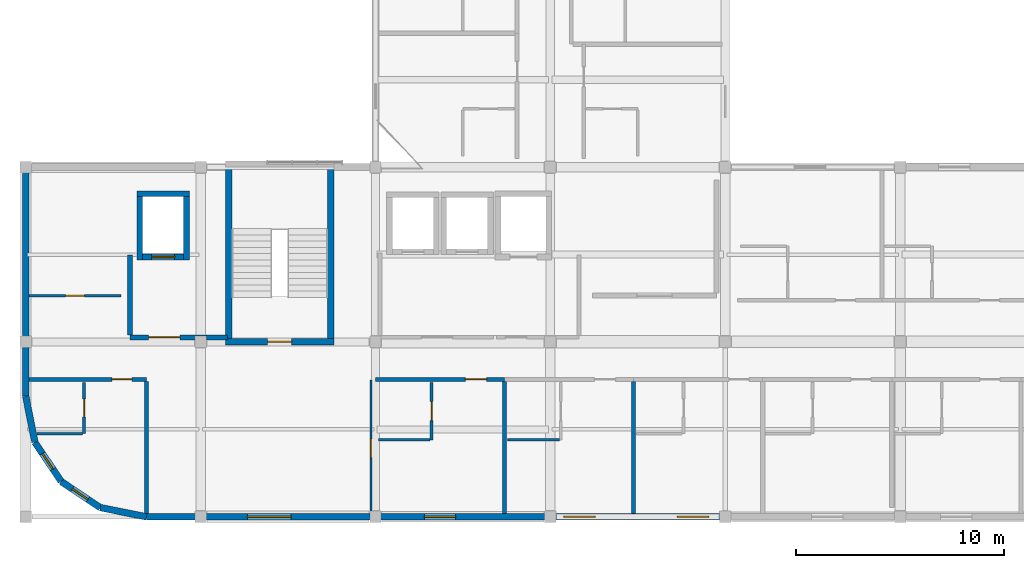
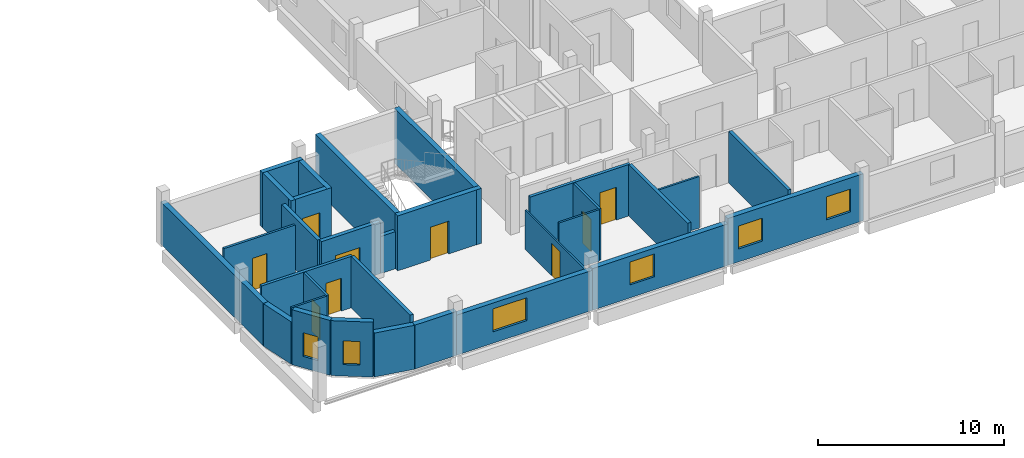
# One storey, part 12 of 26: 31 walls, 9 doors, 6 windows, 15 openings.
"""IFC4 building model written with IfcOpenShell, lengths in metres."""

import ifcopenshell
import ifcopenshell.guid

model = None  # the IFC model being written
_history = None  # IfcOwnerHistory: only IFC2X3 demands one
_inside = {}  # id of a spatial element -> (the spatial element, [elements in it])
_under = {}  # id of a project, library or spatial element -> (it, [spatial elements below it])
_declared = {}  # id of a project -> (the project, [libraries it declares])
_typed = {}  # id of a type object -> (the type object, [elements of that type])
_made_of = {}  # id of a material, layer set ... -> (it, [elements and type objects made of it])


def new_model(schema):
    """Start an empty IFC model of exactly this schema.

    Asked for "IFC4X3", IfcOpenShell would pick the latest addendum, in which some entities
    have other attributes; the version numbers below select the first issue.
    IFC2X3 requires an IfcOwnerHistory on every rooted entity: one is made here for all.
    """
    global model, _history
    if schema == "IFC4X3":
        model = ifcopenshell.file(schema_version=(4, 3, 0, 0))
    else:
        model = ifcopenshell.file(schema=schema)
    _inside.clear()
    _under.clear()
    _declared.clear()
    _typed.clear()
    _made_of.clear()
    _history = None
    if model.schema == "IFC2X3":
        org = make("IfcOrganization", Name="unknown")
        user = make(
            "IfcPersonAndOrganization",
            ThePerson=make("IfcPerson", FamilyName="unknown"),
            TheOrganization=org,
        )
        app = make(
            "IfcApplication",
            ApplicationDeveloper=org,
            Version="unknown",
            ApplicationFullName="unknown",
            ApplicationIdentifier="unknown",
        )
        _history = make(
            "IfcOwnerHistory",
            OwningUser=user,
            OwningApplication=app,
            ChangeAction="ADDED",
            CreationDate=0,
        )
    return model


def make(cls, **values):
    """One entity of the class cls with the attributes given. An attribute that is None is left unset."""
    return model.create_entity(
        cls, **{name: value for name, value in values.items() if value is not None}
    )


def rooted(cls, **values):
    """An entity with a GlobalId (a new one), such as an element, a storey or a relation."""
    return make(cls, GlobalId=ifcopenshell.guid.new(), OwnerHistory=_history, **values)


def si_unit(unit_type, name, prefix=None):
    """IfcSIUnit, for example si_unit("LENGTHUNIT", "METRE", prefix="MILLI")."""
    return make("IfcSIUnit", UnitType=unit_type, Prefix=prefix, Name=name)


def derived_unit(unit_type, elements):
    """IfcDerivedUnit: a product of units, each with its exponent."""
    return make(
        "IfcDerivedUnit",
        Elements=[
            make("IfcDerivedUnitElement", Unit=unit, Exponent=power)
            for unit, power in elements
        ],
        UnitType=unit_type,
    )


def assignment(units):
    """IfcUnitAssignment: the units of a project."""
    return None if units is None else make("IfcUnitAssignment", Units=units)


def point(xyz):
    """IfcCartesianPoint."""
    return None if xyz is None else make("IfcCartesianPoint", Coordinates=xyz)


def direction(xyz):
    """IfcDirection."""
    return None if xyz is None else make("IfcDirection", DirectionRatios=xyz)


def frame(location, z_axis=None, x_axis=None):
    """IfcAxis2Placement3D, a coordinate frame: its origin and axes. An axis left out is left unset."""
    return make(
        "IfcAxis2Placement3D",
        Location=point(location),
        Axis=direction(z_axis),
        RefDirection=direction(x_axis),
    )


def frame_2d(location, x_axis=None):
    """IfcAxis2Placement2D, a coordinate frame in the plane: its origin and x axis."""
    return make(
        "IfcAxis2Placement2D", Location=point(location), RefDirection=direction(x_axis)
    )


def origin():
    """The frame at (0, 0, 0) with its axes left unset."""
    return frame((0.0, 0.0, 0.0))


def place(relative_to, where):
    """IfcLocalPlacement: puts the frame where relative to a parent placement (None: the world)."""
    return make(
        "IfcLocalPlacement", PlacementRelTo=relative_to, RelativePlacement=where
    )


def context(
    kind, dimensions, precision=None, world=None, true_north=None, identifier=None
):
    """IfcGeometricRepresentationContext, for example the 3D "Model" context."""
    return make(
        "IfcGeometricRepresentationContext",
        ContextIdentifier=identifier,
        ContextType=kind,
        CoordinateSpaceDimension=dimensions,
        Precision=precision,
        WorldCoordinateSystem=world,
        TrueNorth=true_north,
    )


def subcontext(parent, identifier, kind, view, scale=None):
    """IfcGeometricRepresentationSubContext, for example "Body" below "Model"."""
    return make(
        "IfcGeometricRepresentationSubContext",
        ContextIdentifier=identifier,
        ContextType=kind,
        ParentContext=parent,
        TargetScale=scale,
        TargetView=view,
    )


def project(units=None, contexts=None):
    """IfcProject with its units and contexts."""
    return rooted(
        "IfcProject",
        Name="project",
        RepresentationContexts=contexts,
        UnitsInContext=assignment(units),
    )


def spatial(cls, under=None, at=None, **own):
    """A site, building, storey or space (cls), placed at a placement, below another one or the project."""
    s = rooted(cls, ObjectPlacement=at, **own)
    if under is not None:
        _under.setdefault(under.id(), (under, []))[1].append(s)
    return s


def profile(cls, at=None, kind="AREA", **sizes):
    """A parametric profile (cls). Its sizes go by their IFC names, for example OverallWidth=200.0."""
    return make(cls, ProfileType=kind, Position=at, **sizes)


def rectangle(**sizes):
    """IfcRectangleProfileDef."""
    return profile("IfcRectangleProfileDef", **sizes)


def extrude(swept, where, along, depth):
    """IfcExtrudedAreaSolid: the profile swept, set in the frame where, extruded along a direction by depth."""
    return make(
        "IfcExtrudedAreaSolid",
        SweptArea=swept,
        Position=where,
        ExtrudedDirection=direction(along),
        Depth=depth,
    )


def shape(context_of_items, identifier, shape_type, items):
    """IfcShapeRepresentation: the items that make up one representation, for example the "Body"."""
    return make(
        "IfcShapeRepresentation",
        ContextOfItems=context_of_items,
        RepresentationIdentifier=identifier,
        RepresentationType=shape_type,
        Items=items,
    )


def material(Name=None, Category=None):
    """IfcMaterial."""
    return make("IfcMaterial", Name=Name, Category=Category)


def layer(
    of_material, thickness, ventilated=None, Name=None, Category=None, Priority=None
):
    """IfcMaterialLayer: one layer of a wall or slab, of a material (None: an air gap)."""
    return make(
        "IfcMaterialLayer",
        Material=of_material,
        LayerThickness=thickness,
        IsVentilated=ventilated,
        Name=Name,
        Category=Category,
        Priority=Priority,
    )


def layer_set(layers, Name=None):
    """IfcMaterialLayerSet."""
    return make("IfcMaterialLayerSet", MaterialLayers=layers, LayerSetName=Name)


def made_of(thing, what):
    """Note that an element or type object is made of a material, layer set ...; save() writes the relation."""
    if what is not None:
        _made_of.setdefault(what.id(), (what, []))[1].append(thing)
    return thing


def type_object(cls, material=None, **own):
    """A type object (cls), such as IfcWallType, which elements share."""
    return made_of(rooted(cls, **own), material)


def element(
    cls,
    number,
    at=None,
    inside=None,
    cuts=None,
    type_object=None,
    material=None,
    context=None,
    identifier="Body",
    shape_type=None,
    held_by="IfcProductDefinitionShape",
    body=None,
    shapes=None,
    **own,
):
    """One element of the class cls, such as IfcWall. Its Tag is "e" and its number.

    at: its placement. inside: the storey or other place that contains it. cuts: it is an
    opening in that element (IfcRelVoidsElement). A single representation is given by context,
    identifier, shape_type and body (its items); several are given by shapes. held_by: the class
    of the entity that holds the representations. save() writes the other relations.
    """
    e = rooted(cls, Tag="e%d" % number, ObjectPlacement=at, **own)
    if body is not None:
        shapes = [shape(context, identifier, shape_type, body)]
    if shapes is not None:
        e.Representation = make(held_by, Representations=shapes)
    if inside is not None:
        _inside.setdefault(inside.id(), (inside, []))[1].append(e)
    if cuts is not None:
        rooted(
            "IfcRelVoidsElement", RelatingBuildingElement=cuts, RelatedOpeningElement=e
        )
    if type_object is not None:
        _typed.setdefault(type_object.id(), (type_object, []))[1].append(e)
    return made_of(e, material)


def fill(opening, filler):
    """IfcRelFillsElement: the door or window that sits in an opening."""
    return rooted(
        "IfcRelFillsElement",
        RelatingOpeningElement=opening,
        RelatedBuildingElement=filler,
    )


def aggregate(whole, parts):
    """IfcRelAggregates: a whole, such as a stair, and the parts it consists of."""
    return rooted("IfcRelAggregates", RelatingObject=whole, RelatedObjects=parts)


def save(model, path):
    """Write the relations noted so far, then the file.

    IfcRelAggregates (storeys below a building ...), IfcRelContainedInSpatialStructure (elements
    in a storey), IfcRelDefinesByType, IfcRelAssociatesMaterial and IfcRelDeclares: one each for
    every whole, place, type object, material and project.
    """
    for whole, parts in _under.values():
        aggregate(whole, parts)
    for where, things in _inside.values():
        rooted(
            "IfcRelContainedInSpatialStructure",
            RelatedElements=things,
            RelatingStructure=where,
        )
    for kind, things in _typed.values():
        rooted("IfcRelDefinesByType", RelatedObjects=things, RelatingType=kind)
    for what, things in _made_of.values():
        rooted("IfcRelAssociatesMaterial", RelatedObjects=things, RelatingMaterial=what)
    for by, libraries in _declared.values():
        rooted("IfcRelDeclares", RelatingContext=by, RelatedDefinitions=libraries)
    model.write(path)


model = new_model("IFC4")

# Units and contexts
model_context = context("Model", 3, precision=1e-05, world=origin(), true_north=direction((0.0, 1.0)))
body_context = subcontext(model_context, "Body", "Model", "MODEL_VIEW")
ifc_project = project(units=[si_unit("LENGTHUNIT", "METRE"), si_unit("AREAUNIT", "SQUARE_METRE"), si_unit("VOLUMEUNIT", "CUBIC_METRE"), si_unit("PLANEANGLEUNIT", "RADIAN"), si_unit("MASSUNIT", "GRAM", prefix="KILO"), derived_unit("THERMALTRANSMITTANCEUNIT", [(si_unit("POWERUNIT", "WATT"), 1), (si_unit("LENGTHUNIT", "METRE"), -2), (si_unit("THERMODYNAMICTEMPERATUREUNIT", "KELVIN"), -1)])], contexts=[model_context])

# Site, building, storey
site_placement = place(None, origin())
site = spatial("IfcSite", under=ifc_project, at=site_placement, CompositionType="ELEMENT")
building_placement = place(site_placement, origin())
building = spatial("IfcBuilding", under=site, at=building_placement, Name="Barrovel Congress Hotel", CompositionType="ELEMENT")
storey_placement = place(building_placement, frame((0.0, 0.0, 32.699951171875)))
storey = spatial("IfcBuildingStorey", under=building, at=storey_placement, Name="L08", CompositionType="ELEMENT", Elevation=32.699951171875)

# Wall
ifc_material_1 = material(Name="Fired Clay Brick Masonry", Category="masonry")
ifc_layer_1 = layer(ifc_material_1, 0.320068359375)
ifc_layer_set_1 = layer_set([ifc_layer_1], Name="Fired Clay Brick Masonry")
wall_type_1 = type_object("IfcWallType", Name="EW-BRK320", PredefinedType="STANDARD", material=ifc_layer_set_1)
wall_1_placement = place(storey_placement, frame((16.800048828125, 10.0, 0.0), z_axis=(0.0, 0.0, 1.0), x_axis=(0.195057908159, -0.980791727363, 0.0)))
element("IfcWall", 1, at=wall_1_placement, inside=storey, type_object=wall_type_1, Name="EW:L08:PROW-1", PredefinedType="STANDARD", context=body_context, shape_type="SweptSolid", body=[
    extrude(rectangle(XDim=2.262939453125, YDim=0.320068359375, at=frame_2d((1.13134765625, 0.0))), origin(), (0.0, 0.0, 1.0), 2.780029296875),
])

# Wall, opening, window
wall_2_placement = place(storey_placement, frame((17.241455078125, 7.780517578125, 0.0), z_axis=(0.0, 0.0, 1.0), x_axis=(0.555546297918, -0.831485604728, 0.0)))
wall_2 = element("IfcWall", 2, at=wall_2_placement, inside=storey, type_object=wall_type_1, Name="EW:L08:PROW-2", PredefinedType="STANDARD", context=body_context, shape_type="SweptSolid", body=[
    extrude(rectangle(XDim=2.26318359375, YDim=0.320068359375, at=frame_2d((1.131591796875, 0.0))), origin(), (0.0, 0.0, 1.0), 3.60009765625),
])
opening_1_placement = place(wall_2_placement, frame((0.64990234375, 0.0, 0.75)))
opening_1 = element("IfcOpeningElement", 3, at=opening_1_placement, cuts=wall_2, Name="Opening WN-11", PredefinedType="OPENING", context=body_context, shape_type="SweptSolid", body=[
    extrude(rectangle(XDim=0.89990234375, YDim=1.550048828125, at=frame_2d((0.449951171875, 0.77490234375))), frame((0.0, 0.169921875, 0.0), z_axis=(0.0, -1.0, 0.0), x_axis=(1.0, 0.0, 0.0)), (0.0, 0.0, 1.0), 0.340087890625),
])
ifc_material_2 = material(Name="Double Low-E Insulated Glazing", Category="glass")
window_type_1 = type_object("IfcWindowType", Name="WIN-WN-11", PartitioningType="SINGLE_PANEL", PredefinedType="WINDOW", material=ifc_material_2)
window_1_placement = place(opening_1_placement, origin())
window_1 = element("IfcWindow", 4, at=window_1_placement, inside=storey, type_object=window_type_1, Name="WIN:L08:PROW-2", OverallHeight=1.550048828125, OverallWidth=0.89990234375, PartitioningType="SINGLE_PANEL", PredefinedType="WINDOW", context=body_context, shape_type="SweptSolid", body=[
    extrude(rectangle(XDim=0.89990234375, YDim=1.550048828125, at=frame_2d((0.449951171875, 0.77490234375))), frame((0.0, 0.030029296875, 0.0), z_axis=(0.0, -1.0, 0.0), x_axis=(1.0, 0.0, 0.0)), (0.0, 0.0, 1.0), 0.06005859375),
])
fill(opening_1, window_1)

wall_3_placement = place(storey_placement, frame((18.498779296875, 5.898681640625, 0.0), z_axis=(0.0, 0.0, 1.0), x_axis=(0.831502143458, -0.555521543618, 0.0)))
wall_3 = element("IfcWall", 5, at=wall_3_placement, inside=storey, type_object=wall_type_1, Name="EW:L08:PROW-3", PredefinedType="STANDARD", context=body_context, shape_type="SweptSolid", body=[
    extrude(rectangle(XDim=2.262939453125, YDim=0.320068359375, at=frame_2d((1.13134765625, 0.0))), origin(), (0.0, 0.0, 1.0), 3.60009765625),
])
opening_2_placement = place(wall_3_placement, frame((0.64990234375, 0.0, 0.75)))
opening_2 = element("IfcOpeningElement", 6, at=opening_2_placement, cuts=wall_3, Name="Opening WN-11", PredefinedType="OPENING", context=body_context, shape_type="SweptSolid", body=[
    extrude(rectangle(XDim=0.89990234375, YDim=1.550048828125, at=frame_2d((0.449951171875, 0.77490234375))), frame((0.0, 0.169921875, 0.0), z_axis=(0.0, -1.0, 0.0), x_axis=(1.0, 0.0, 0.0)), (0.0, 0.0, 1.0), 0.340087890625),
])
window_2_placement = place(opening_2_placement, origin())
window_2 = element("IfcWindow", 7, at=window_2_placement, inside=storey, type_object=window_type_1, Name="WIN:L08:PROW-3", OverallHeight=1.550048828125, OverallWidth=0.89990234375, PartitioningType="SINGLE_PANEL", PredefinedType="WINDOW", context=body_context, shape_type="SweptSolid", body=[
    extrude(rectangle(XDim=0.89990234375, YDim=1.550048828125, at=frame_2d((0.449951171875, 0.77490234375))), frame((0.0, 0.030029296875, 0.0), z_axis=(0.0, -1.0, 0.0), x_axis=(1.0, 0.0, 0.0)), (0.0, 0.0, 1.0), 0.06005859375),
])
fill(opening_2, window_2)

# Walls
wall_4_placement = place(storey_placement, frame((20.38037109375, 4.6416015625, 0.0), z_axis=(0.0, 0.0, 1.0), x_axis=(0.98077519094, -0.195141038321, 0.0)))
element("IfcWall", 8, at=wall_4_placement, inside=storey, type_object=wall_type_1, Name="EW:L08:PROW-4", PredefinedType="STANDARD", context=body_context, shape_type="SweptSolid", body=[
    extrude(rectangle(XDim=2.26318359375, YDim=0.320068359375, at=frame_2d((1.131591796875, 0.0))), origin(), (0.0, 0.0, 1.0), 2.880126953125),
])
wall_5_placement = place(storey_placement, frame((16.800048828125, 21.0, 0.0), z_axis=(0.0, 0.0, 1.0), x_axis=(0.0, -1.0, 0.0)))
element("IfcWall", 9, at=wall_5_placement, inside=storey, type_object=wall_type_1, Name="EW:L08:HS-SW", PredefinedType="STANDARD", context=body_context, shape_type="SweptSolid", body=[
    extrude(rectangle(XDim=11.0, YDim=0.320068359375, at=frame_2d((5.5, 0.0))), origin(), (0.0, 0.0, 1.0), 2.780029296875),
])
wall_6_placement = place(storey_placement, frame((22.60009765625, 4.199951171875, 0.0), z_axis=(0.0, 0.0, 1.0), x_axis=(1.0, 0.0, 0.0)))
element("IfcWall", 10, at=wall_6_placement, inside=storey, type_object=wall_type_1, Name="EW:L08:HS-S:P01", PredefinedType="STANDARD", context=body_context, shape_type="SweptSolid", body=[
    extrude(rectangle(XDim=2.599853515625, YDim=0.320068359375, at=frame_2d((1.2998046875, 0.0))), origin(), (0.0, 0.0, 1.0), 2.880126953125),
])

# Wall, opening, window
wall_7_placement = place(storey_placement, frame((25.199951171875, 4.199951171875, 0.0), z_axis=(0.0, 0.0, 1.0), x_axis=(1.0, 0.0, 0.0)))
wall_7 = element("IfcWall", 11, at=wall_7_placement, inside=storey, type_object=wall_type_1, Name="EW:L08:HS-S:P02", PredefinedType="STANDARD", context=body_context, shape_type="SweptSolid", body=[
    extrude(rectangle(XDim=8.400146484375, YDim=0.320068359375, at=frame_2d((4.2001953125, 0.0))), origin(), (0.0, 0.0, 1.0), 2.630126953125),
])
opening_3_placement = place(wall_7_placement, frame((2.25, 0.0, 0.75)))
opening_3 = element("IfcOpeningElement", 12, at=opening_3_placement, cuts=wall_7, Name="Opening WN-09", PredefinedType="OPENING", context=body_context, shape_type="SweptSolid", body=[
    extrude(rectangle(XDim=2.10009765625, YDim=1.5, at=frame_2d((1.050048828125, 0.75))), frame((0.0, 0.169921875, 0.0), z_axis=(0.0, -1.0, 0.0), x_axis=(1.0, 0.0, 0.0)), (0.0, 0.0, 1.0), 0.340087890625),
])
window_type_2 = type_object("IfcWindowType", Name="WIN-WN-09", PartitioningType="SINGLE_PANEL", PredefinedType="WINDOW", material=ifc_material_2)
window_3_placement = place(opening_3_placement, origin())
window_3 = element("IfcWindow", 13, at=window_3_placement, inside=storey, type_object=window_type_2, Name="WIN:L08:SALON", OverallHeight=1.5, OverallWidth=2.10009765625, PartitioningType="SINGLE_PANEL", PredefinedType="WINDOW", context=body_context, shape_type="SweptSolid", body=[
    extrude(rectangle(XDim=2.10009765625, YDim=1.5, at=frame_2d((1.050048828125, 0.75))), frame((0.0, 0.030029296875, 0.0), z_axis=(0.0, -1.0, 0.0), x_axis=(1.0, 0.0, 0.0)), (0.0, 0.0, 1.0), 0.06005859375),
])
fill(opening_3, window_3)

wall_8_placement = place(storey_placement, frame((33.60009765625, 4.199951171875, 0.0), z_axis=(0.0, 0.0, 1.0), x_axis=(1.0, 0.0, 0.0)))
wall_8 = element("IfcWall", 14, at=wall_8_placement, inside=storey, type_object=wall_type_1, Name="EW:L08:HS-S:P03", PredefinedType="STANDARD", context=body_context, shape_type="SweptSolid", body=[
    extrude(rectangle(XDim=8.39990234375, YDim=0.320068359375, at=frame_2d((4.199951171875, 0.0))), origin(), (0.0, 0.0, 1.0), 2.72998046875),
])
opening_4_placement = place(wall_8_placement, frame((2.35009765625, 0.0, 0.85009765625)))
opening_4 = element("IfcOpeningElement", 15, at=opening_4_placement, cuts=wall_8, Name="Opening WN-07", PredefinedType="OPENING", context=body_context, shape_type="SweptSolid", body=[
    extrude(rectangle(XDim=1.5, YDim=1.5, at=frame_2d((0.75, 0.75))), frame((0.0, 0.169921875, 0.0), z_axis=(0.0, -1.0, 0.0), x_axis=(1.0, 0.0, 0.0)), (0.0, 0.0, 1.0), 0.340087890625),
])
window_type_3 = type_object("IfcWindowType", Name="WIN-WN-07", PartitioningType="SINGLE_PANEL", PredefinedType="WINDOW", material=ifc_material_2)
window_4_placement = place(opening_4_placement, origin())
window_4 = element("IfcWindow", 16, at=window_4_placement, inside=storey, type_object=window_type_3, Name="WIN:L08:U02", OverallHeight=1.5, OverallWidth=1.5, PartitioningType="SINGLE_PANEL", PredefinedType="WINDOW", context=body_context, shape_type="SweptSolid", body=[
    extrude(rectangle(XDim=1.5, YDim=1.5, at=frame_2d((0.75, 0.75))), frame((0.0, 0.030029296875, 0.0), z_axis=(0.0, -1.0, 0.0), x_axis=(1.0, 0.0, 0.0)), (0.0, 0.0, 1.0), 0.06005859375),
])
fill(opening_4, window_4)

# Wall, openings, windows
wall_9_placement = place(storey_placement, frame((42.0, 4.199951171875, 0.0), z_axis=(0.0, 0.0, 1.0), x_axis=(1.0, 0.0, 0.0)))
wall_9 = element("IfcWall", 17, at=wall_9_placement, inside=storey, type_object=wall_type_1, Name="EW:L08:HS-S:P04", PredefinedType="STANDARD", context=body_context, shape_type="SweptSolid", body=[
    extrude(rectangle(XDim=8.39990234375, YDim=0.320068359375, at=frame_2d((4.199951171875, 0.0))), origin(), (0.0, 0.0, 1.0), 3.0751953125),
])
opening_5_placement = place(wall_9_placement, frame((0.64990234375, 0.0, 0.85009765625)))
opening_5 = element("IfcOpeningElement", 18, at=opening_5_placement, cuts=wall_9, Name="Opening WN-07", PredefinedType="OPENING", context=body_context, shape_type="SweptSolid", body=[
    extrude(rectangle(XDim=1.5, YDim=1.5, at=frame_2d((0.75, 0.75))), frame((0.0, 0.169921875, 0.0), z_axis=(0.0, -1.0, 0.0), x_axis=(1.0, 0.0, 0.0)), (0.0, 0.0, 1.0), 0.340087890625),
])
opening_6_placement = place(wall_9_placement, frame((6.10009765625, 0.0, 0.85009765625)))
opening_6 = element("IfcOpeningElement", 19, at=opening_6_placement, cuts=wall_9, Name="Opening WN-07", PredefinedType="OPENING", context=body_context, shape_type="SweptSolid", body=[
    extrude(rectangle(XDim=1.5, YDim=1.5, at=frame_2d((0.75, 0.75))), frame((0.0, 0.169921875, 0.0), z_axis=(0.0, -1.0, 0.0), x_axis=(1.0, 0.0, 0.0)), (0.0, 0.0, 1.0), 0.340087890625),
])
window_5_placement = place(opening_5_placement, origin())
window_5 = element("IfcWindow", 20, at=window_5_placement, inside=storey, type_object=window_type_3, Name="WIN:L08:U03", OverallHeight=1.5, OverallWidth=1.5, PartitioningType="SINGLE_PANEL", PredefinedType="WINDOW", context=body_context, shape_type="SweptSolid", body=[
    extrude(rectangle(XDim=1.5, YDim=1.5, at=frame_2d((0.75, 0.75))), frame((0.0, 0.030029296875, 0.0), z_axis=(0.0, -1.0, 0.0), x_axis=(1.0, 0.0, 0.0)), (0.0, 0.0, 1.0), 0.06005859375),
])
fill(opening_5, window_5)
window_6_placement = place(opening_6_placement, origin())
window_6 = element("IfcWindow", 21, at=window_6_placement, inside=storey, type_object=window_type_3, Name="WIN:L08:U04", OverallHeight=1.5, OverallWidth=1.5, PartitioningType="SINGLE_PANEL", PredefinedType="WINDOW", context=body_context, shape_type="SweptSolid", body=[
    extrude(rectangle(XDim=1.5, YDim=1.5, at=frame_2d((0.75, 0.75))), frame((0.0, 0.030029296875, 0.0), z_axis=(0.0, -1.0, 0.0), x_axis=(1.0, 0.0, 0.0)), (0.0, 0.0, 1.0), 0.06005859375),
])
fill(opening_6, window_6)

# Wall, opening, door
ifc_material_3 = material(Name="Gypsum Acoustic Stud", Category="gypsum")
ifc_layer_2 = layer(ifc_material_3, 0.179931640625)
ifc_layer_set_2 = layer_set([ifc_layer_2], Name="Gypsum Acoustic Stud")
wall_type_2 = type_object("IfcWallType", Name="PW-ACU-180", PredefinedType="PARTITIONING", material=ifc_layer_set_2)
wall_10_placement = place(storey_placement, frame((16.9599609375, 10.800048828125, 0.0), z_axis=(0.0, 0.0, 1.0), x_axis=(1.0, 0.0, 0.0)))
wall_10 = element("IfcWall", 22, at=wall_10_placement, inside=storey, type_object=wall_type_2, Name="PW:L08:U01:COR", PredefinedType="PARTITIONING", context=body_context, shape_type="SweptSolid", body=[
    extrude(rectangle(XDim=5.64013671875, YDim=0.179931640625, at=frame_2d((2.820068359375, 0.0))), origin(), (0.0, 0.0, 1.0), 3.375),
])
opening_7_placement = place(wall_10_placement, frame((3.97509765625, 0.0, 0.0)))
opening_7 = element("IfcOpeningElement", 23, at=opening_7_placement, cuts=wall_10, Name="Opening ID-HTL", PredefinedType="OPENING", context=body_context, shape_type="SweptSolid", body=[
    extrude(rectangle(XDim=0.9599609375, YDim=2.14990234375, at=frame_2d((0.47998046875, 1.074951171875))), frame((0.0, 0.10009765625, 0.0), z_axis=(0.0, -1.0, 0.0), x_axis=(1.0, 0.0, 0.0)), (0.0, 0.0, 1.0), 0.199951171875),
])
ifc_material_4 = material(Name="Solid Oak Acoustic Timber Door", Category="wood")
door_type_1 = type_object("IfcDoorType", Name="IDR-ID-HTL", OperationType="NOTDEFINED", PredefinedType="DOOR", material=ifc_material_4)
door_1_placement = place(opening_7_placement, origin())
door_1 = element("IfcDoor", 24, at=door_1_placement, inside=storey, type_object=door_type_1, Name="DR:L08:U01:ENT", OperationType="SINGLE_SWING_RIGHT", OverallHeight=2.14990234375, OverallWidth=0.9599609375, PredefinedType="DOOR", context=body_context, shape_type="SweptSolid", body=[
    extrude(rectangle(XDim=0.9599609375, YDim=2.14990234375, at=frame_2d((0.47998046875, 1.074951171875))), frame((0.0, 0.02490234375, 0.0), z_axis=(0.0, -1.0, 0.0), x_axis=(1.0, 0.0, 0.0)), (0.0, 0.0, 1.0), 0.050048828125),
])
fill(opening_7, door_1)

wall_11_placement = place(storey_placement, frame((33.60009765625, 10.800048828125, 0.0), z_axis=(0.0, 0.0, 1.0), x_axis=(1.0, 0.0, 0.0)))
wall_11 = element("IfcWall", 25, at=wall_11_placement, inside=storey, type_object=wall_type_2, Name="PW:L08:U02:COR", PredefinedType="PARTITIONING", context=body_context, shape_type="SweptSolid", body=[
    extrude(rectangle(XDim=6.199951171875, YDim=0.179931640625, at=frame_2d((3.10009765625, 0.0))), origin(), (0.0, 0.0, 1.0), 3.375),
])
opening_8_placement = place(wall_11_placement, frame((4.31494140625, 0.0, 0.0)))
opening_8 = element("IfcOpeningElement", 26, at=opening_8_placement, cuts=wall_11, Name="Opening ID-ACC", PredefinedType="OPENING", context=body_context, shape_type="SweptSolid", body=[
    extrude(rectangle(XDim=1.02001953125, YDim=2.14990234375, at=frame_2d((0.510009765625, 1.074951171875))), frame((0.0, 0.10009765625, 0.0), z_axis=(0.0, -1.0, 0.0), x_axis=(1.0, 0.0, 0.0)), (0.0, 0.0, 1.0), 0.199951171875),
])
door_type_2 = type_object("IfcDoorType", Name="IDR-ID-ACC", OperationType="NOTDEFINED", PredefinedType="DOOR", material=ifc_material_4)
door_2_placement = place(opening_8_placement, origin())
door_2 = element("IfcDoor", 27, at=door_2_placement, inside=storey, type_object=door_type_2, Name="DR:L08:U02:ENT", OperationType="SINGLE_SWING_RIGHT", OverallHeight=2.14990234375, OverallWidth=1.02001953125, PredefinedType="DOOR", context=body_context, shape_type="SweptSolid", body=[
    extrude(rectangle(XDim=1.02001953125, YDim=2.14990234375, at=frame_2d((0.510009765625, 1.074951171875))), frame((0.0, 0.02490234375, 0.0), z_axis=(0.0, -1.0, 0.0), x_axis=(1.0, 0.0, 0.0)), (0.0, 0.0, 1.0), 0.050048828125),
])
fill(opening_8, door_2)

# Walls
ifc_layer_3 = layer(ifc_material_3, 0.1201171875)
ifc_layer_set_3 = layer_set([ifc_layer_3], Name="Gypsum Acoustic Stud")
wall_type_3 = type_object("IfcWallType", Name="PW-INT-120", PredefinedType="PARTITIONING", material=ifc_layer_set_3)
wall_12_placement = place(storey_placement, frame((17.340087890625, 8.199951171875, 0.0), z_axis=(0.0, 0.0, 1.0), x_axis=(1.0, 0.0, 0.0)))
element("IfcWall", 28, at=wall_12_placement, inside=storey, type_object=wall_type_3, Name="PW:L08:U01:B2", PredefinedType="PARTITIONING", context=body_context, shape_type="SweptSolid", body=[
    extrude(rectangle(XDim=2.18994140625, YDim=0.1201171875, at=frame_2d((1.094970703125, 0.0))), origin(), (0.0, 0.0, 1.0), 3.375),
])
for number, where, z_axis, x_axis, name in (
    (29, (33.739990234375, 7.89990234375, 0.0), (0.0, 0.0, 1.0), (1.0, 0.0, 0.0), "PW:L08:U02:B2"),
    (30, (39.93994140625, 7.89990234375, 0.0), (0.0, 0.0, 1.0), (1.0, 0.0, 0.0), "PW:L08:U03:B2"),
):
    element("IfcWall", number, at=place(storey_placement, frame(where, z_axis=z_axis, x_axis=x_axis)), inside=storey, type_object=wall_type_3, Name=name, PredefinedType="PARTITIONING", context=body_context, shape_type="SweptSolid", body=[
        extrude(rectangle(XDim=2.489990234375, YDim=0.1201171875, at=frame_2d((1.2451171875, 0.0))), origin(), (0.0, 0.0, 1.0), 3.375),
    ])

# Wall, opening, door
ifc_layer_4 = layer(ifc_material_3, 0.10009765625)
ifc_layer_set_4 = layer_set([ifc_layer_4], Name="Gypsum Acoustic Stud")
wall_type_4 = type_object("IfcWallType", Name="PW-LGT-100", PredefinedType="PARTITIONING", material=ifc_layer_set_4)
wall_13_placement = place(storey_placement, frame((33.3798828125, 4.219970703125, 0.0), z_axis=(0.0, 0.0, 1.0), x_axis=(0.0, 1.0, 0.0)))
wall_13 = element("IfcWall", 31, at=wall_13_placement, inside=storey, type_object=wall_type_4, Name="RW:SP:L08:SALON:ED", PredefinedType="PARTITIONING", context=body_context, shape_type="SweptSolid", body=[
    extrude(rectangle(XDim=6.56005859375, YDim=0.10009765625, at=frame_2d((3.280029296875, 0.0))), origin(), (0.0, 0.0, 1.0), 2.580078125),
])
opening_9_placement = place(wall_13_placement, frame((2.830078125, 0.0, 0.0)))
opening_9 = element("IfcOpeningElement", 32, at=opening_9_placement, cuts=wall_13, Name="Opening ID-WC1", PredefinedType="OPENING", context=body_context, shape_type="SweptSolid", body=[
    extrude(rectangle(XDim=0.89990234375, YDim=2.1201171875, at=frame_2d((0.449951171875, 1.06005859375))), frame((0.0, 0.06005859375, 0.0), z_axis=(0.0, -1.0, 0.0), x_axis=(1.0, 0.0, 0.0)), (0.0, 0.0, 1.0), 0.1201171875),
])
ifc_material_5 = material(Name="Lacquered Timber Moisture Door", Category="wood")
door_type_3 = type_object("IfcDoorType", Name="IDR-ID-WC1", OperationType="NOTDEFINED", PredefinedType="DOOR", material=ifc_material_5)
door_3_placement = place(opening_9_placement, origin())
door_3 = element("IfcDoor", 33, at=door_3_placement, inside=storey, type_object=door_type_3, Name="RD:SP:L08:SALON", OperationType="SINGLE_SWING_RIGHT", OverallHeight=2.1201171875, OverallWidth=0.89990234375, PredefinedType="DOOR", context=body_context, shape_type="SweptSolid", body=[
    extrude(rectangle(XDim=0.89990234375, YDim=2.1201171875, at=frame_2d((0.449951171875, 1.06005859375))), frame((0.0, 0.02490234375, 0.0), z_axis=(0.0, -1.0, 0.0), x_axis=(1.0, 0.0, 0.0)), (0.0, 0.0, 1.0), 0.050048828125),
])
fill(opening_9, door_3)

# Walls
ifc_layer_5 = layer(ifc_material_1, 0.199951171875)
ifc_layer_set_5 = layer_set([ifc_layer_5], Name="Fired Clay Brick Masonry")
wall_type_5 = type_object("IfcWallType", Name="PW-MAS-200", PredefinedType="PARTITIONING", material=ifc_layer_set_5)
for number, where, z_axis, x_axis, name in (
    (34, (22.60009765625, 4.360107421875, 0.0), (0.0, 0.0, 1.0), (0.0, 1.0, 0.0), "PW:L08:U01:DEM"),
    (35, (39.800048828125, 4.360107421875, 0.0), (0.0, 0.0, 1.0), (0.0, 1.0, 0.0), "PW:L08:U02:DEM"),
    (36, (46.0, 4.360107421875, 0.0), (0.0, 0.0, 1.0), (0.0, 1.0, 0.0), "PW:L08:U03:DEM"),
):
    element("IfcWall", number, at=place(storey_placement, frame(where, z_axis=z_axis, x_axis=x_axis)), inside=storey, type_object=wall_type_5, Name=name, PredefinedType="PARTITIONING", context=body_context, shape_type="SweptSolid", body=[
        extrude(rectangle(XDim=6.349853515625, YDim=0.199951171875, at=frame_2d((3.1748046875, 0.0))), origin(), (0.0, 0.0, 1.0), 3.375),
    ])

# Wall, opening, door
ifc_layer_6 = layer(ifc_material_1, 0.239990234375)
ifc_layer_set_6 = layer_set([ifc_layer_6], Name="Fired Clay Brick Masonry")
wall_type_6 = type_object("IfcWallType", Name="PW-MAS-240", PredefinedType="PARTITIONING", material=ifc_layer_set_6)
wall_14_placement = place(storey_placement, frame((21.820068359375, 12.820068359375, 0.0), z_axis=(0.0, 0.0, 1.0), x_axis=(1.0, 0.0, 0.0)))
wall_14 = element("IfcWall", 37, at=wall_14_placement, inside=storey, type_object=wall_type_6, Name="RW:SP:L08:FFL-1:S", PredefinedType="PARTITIONING", context=body_context, shape_type="SweptSolid", body=[
    extrude(rectangle(XDim=3.655029296875, YDim=0.239990234375, at=frame_2d((1.82763671875, 0.0))), origin(), (0.0, 0.0, 1.0), 3.375),
])
opening_10_placement = place(wall_14_placement, frame((0.8798828125, 0.0, 0.0)))
opening_10 = element("IfcOpeningElement", 38, at=opening_10_placement, cuts=wall_14, Name="Opening ID-FFL", PredefinedType="OPENING", context=body_context, shape_type="SweptSolid", body=[
    extrude(rectangle(XDim=1.5, YDim=2.14990234375, at=frame_2d((0.75, 1.074951171875))), frame((0.0, 0.1298828125, 0.0), z_axis=(0.0, -1.0, 0.0), x_axis=(1.0, 0.0, 0.0)), (0.0, 0.0, 1.0), 0.260009765625),
])
ifc_material_6 = material(Name="Painted Hollow-Metal Steel Door", Category="steel")
door_type_4 = type_object("IfcDoorType", Name="IDR-ID-FFL", OperationType="NOTDEFINED", PredefinedType="DOOR", material=ifc_material_6)
door_4_placement = place(opening_10_placement, origin())
door_4 = element("IfcDoor", 39, at=door_4_placement, inside=storey, type_object=door_type_4, Name="RD:SP:L08:FFL-1", OperationType="DOUBLE_DOOR_SINGLE_SWING", OverallHeight=2.14990234375, OverallWidth=1.5, PredefinedType="DOOR", context=body_context, shape_type="SweptSolid", body=[
    extrude(rectangle(XDim=1.5, YDim=2.14990234375, at=frame_2d((0.75, 1.074951171875))), frame((0.0, 0.02490234375, 0.0), z_axis=(0.0, -1.0, 0.0), x_axis=(1.0, 0.0, 0.0)), (0.0, 0.0, 1.0), 0.050048828125),
])
fill(opening_10, door_4)

# Walls
wall_15_placement = place(storey_placement, frame((21.820068359375, 12.93994140625, 0.0), z_axis=(0.0, 0.0, 1.0), x_axis=(0.0, 1.0, 0.0)))
element("IfcWall", 40, at=wall_15_placement, inside=storey, type_object=wall_type_6, Name="RW:SP:L08:FFL-1:W", PredefinedType="PARTITIONING", context=body_context, shape_type="SweptSolid", body=[
    extrude(rectangle(XDim=3.840087890625, YDim=0.239990234375, at=frame_2d((1.919921875, 0.0))), origin(), (0.0, 0.0, 1.0), 3.375),
])
wall_16_placement = place(storey_placement, frame((25.47509765625, 12.820068359375, 0.0), z_axis=(0.0, 0.0, 1.0), x_axis=(1.0, 0.0, 0.0)))
element("IfcWall", 41, at=wall_16_placement, inside=storey, type_object=wall_type_6, Name="RW:SP:L08:FFL-1:S:P02", PredefinedType="PARTITIONING", context=body_context, shape_type="SweptSolid", body=[
    extrude(rectangle(XDim=1.0048828125, YDim=0.239990234375, at=frame_2d((0.50244140625, 0.0))), origin(), (0.0, 0.0, 1.0), 2.429931640625),
])

# Wall, opening, door
ifc_material_7 = material(Name="Gypsum Moisture Board", Category="gypsum")
ifc_layer_7 = layer(ifc_material_7, 0.139892578125)
ifc_layer_set_7 = layer_set([ifc_layer_7], Name="Gypsum Moisture Board")
wall_type_7 = type_object("IfcWallType", Name="PW-WET-140", PredefinedType="PARTITIONING", material=ifc_layer_set_7)
wall_17_placement = place(storey_placement, frame((19.60009765625, 8.199951171875, 0.0), z_axis=(0.0, 0.0, 1.0), x_axis=(0.0, 1.0, 0.0)))
wall_17 = element("IfcWall", 42, at=wall_17_placement, inside=storey, type_object=wall_type_7, Name="PW:L08:U01:B1", PredefinedType="PARTITIONING", context=body_context, shape_type="SweptSolid", body=[
    extrude(rectangle(XDim=2.4599609375, YDim=0.139892578125, at=frame_2d((1.22998046875, 0.0))), origin(), (0.0, 0.0, 1.0), 3.375),
])
opening_11_placement = place(wall_17_placement, frame((0.800048828125, 0.0, 0.0)))
opening_11 = element("IfcOpeningElement", 43, at=opening_11_placement, cuts=wall_17, Name="Opening ID-ENS", PredefinedType="OPENING", context=body_context, shape_type="SweptSolid", body=[
    extrude(rectangle(XDim=0.860107421875, YDim=2.10009765625, at=frame_2d((0.43017578125, 1.050048828125))), frame((0.0, 0.080078125, 0.0), z_axis=(0.0, -1.0, 0.0), x_axis=(1.0, 0.0, 0.0)), (0.0, 0.0, 1.0), 0.159912109375),
])
door_type_5 = type_object("IfcDoorType", Name="IDR-ID-ENS", OperationType="NOTDEFINED", PredefinedType="DOOR", material=ifc_material_5)
door_5_placement = place(opening_11_placement, origin())
door_5 = element("IfcDoor", 44, at=door_5_placement, inside=storey, type_object=door_type_5, Name="DR:L08:U01:ENS", OperationType="SINGLE_SWING_LEFT", OverallHeight=2.10009765625, OverallWidth=0.860107421875, PredefinedType="DOOR", context=body_context, shape_type="SweptSolid", body=[
    extrude(rectangle(XDim=0.860107421875, YDim=2.10009765625, at=frame_2d((0.43017578125, 1.050048828125))), frame((0.0, 0.02490234375, 0.0), z_axis=(0.0, -1.0, 0.0), x_axis=(1.0, 0.0, 0.0)), (0.0, 0.0, 1.0), 0.050048828125),
])
fill(opening_11, door_5)

wall_18_placement = place(storey_placement, frame((36.300048828125, 7.89990234375, 0.0), z_axis=(0.0, 0.0, 1.0), x_axis=(0.0, 1.0, 0.0)))
wall_18 = element("IfcWall", 45, at=wall_18_placement, inside=storey, type_object=wall_type_7, Name="PW:L08:U02:B1", PredefinedType="PARTITIONING", context=body_context, shape_type="SweptSolid", body=[
    extrude(rectangle(XDim=2.760009765625, YDim=0.139892578125, at=frame_2d((1.3798828125, 0.0))), origin(), (0.0, 0.0, 1.0), 3.375),
])
opening_12_placement = place(wall_18_placement, frame((0.919921875, 0.0, 0.0)))
opening_12 = element("IfcOpeningElement", 46, at=opening_12_placement, cuts=wall_18, Name="Opening ID-EA2", PredefinedType="OPENING", context=body_context, shape_type="SweptSolid", body=[
    extrude(rectangle(XDim=0.919921875, YDim=2.10009765625, at=frame_2d((0.4599609375, 1.050048828125))), frame((0.0, 0.080078125, 0.0), z_axis=(0.0, -1.0, 0.0), x_axis=(1.0, 0.0, 0.0)), (0.0, 0.0, 1.0), 0.159912109375),
])
door_type_6 = type_object("IfcDoorType", Name="IDR-ID-EA2", OperationType="NOTDEFINED", PredefinedType="DOOR", material=ifc_material_5)
door_6_placement = place(opening_12_placement, origin())
door_6 = element("IfcDoor", 47, at=door_6_placement, inside=storey, type_object=door_type_6, Name="DR:L08:U02:ENS", OperationType="SINGLE_SWING_LEFT", OverallHeight=2.10009765625, OverallWidth=0.919921875, PredefinedType="DOOR", context=body_context, shape_type="SweptSolid", body=[
    extrude(rectangle(XDim=0.919921875, YDim=2.10009765625, at=frame_2d((0.4599609375, 1.050048828125))), frame((0.0, 0.02490234375, 0.0), z_axis=(0.0, -1.0, 0.0), x_axis=(1.0, 0.0, 0.0)), (0.0, 0.0, 1.0), 0.050048828125),
])
fill(opening_12, door_6)

wall_19_placement = place(storey_placement, frame((16.9599609375, 14.820068359375, 0.0), z_axis=(0.0, 0.0, 1.0), x_axis=(1.0, 0.0, 0.0)))
wall_19 = element("IfcWall", 48, at=wall_19_placement, inside=storey, type_object=wall_type_7, Name="RW:SP:L08:HKP:S", PredefinedType="PARTITIONING", context=body_context, shape_type="SweptSolid", body=[
    extrude(rectangle(XDim=4.419921875, YDim=0.139892578125, at=frame_2d((2.2099609375, 0.0))), origin(), (0.0, 0.0, 1.0), 3.375),
])
opening_13_placement = place(wall_19_placement, frame((1.760009765625, 0.0, 0.0)))
opening_13 = element("IfcOpeningElement", 49, at=opening_13_placement, cuts=wall_19, Name="Opening ID-WC1", PredefinedType="OPENING", context=body_context, shape_type="SweptSolid", body=[
    extrude(rectangle(XDim=0.89990234375, YDim=2.1201171875, at=frame_2d((0.449951171875, 1.06005859375))), frame((0.0, 0.080078125, 0.0), z_axis=(0.0, -1.0, 0.0), x_axis=(1.0, 0.0, 0.0)), (0.0, 0.0, 1.0), 0.159912109375),
])
door_7_placement = place(opening_13_placement, origin())
door_7 = element("IfcDoor", 50, at=door_7_placement, inside=storey, type_object=door_type_3, Name="RD:SP:L08:HKP", OperationType="SINGLE_SWING_LEFT", OverallHeight=2.1201171875, OverallWidth=0.89990234375, PredefinedType="DOOR", context=body_context, shape_type="SweptSolid", body=[
    extrude(rectangle(XDim=0.89990234375, YDim=2.1201171875, at=frame_2d((0.449951171875, 1.06005859375))), frame((0.0, 0.02490234375, 0.0), z_axis=(0.0, -1.0, 0.0), x_axis=(1.0, 0.0, 0.0)), (0.0, 0.0, 1.0), 0.050048828125),
])
fill(opening_13, door_7)

ifc_material_8 = material(Name="Concrete C40", Category="concrete")
ifc_layer_8 = layer(ifc_material_8, 0.280029296875)
ifc_layer_set_8 = layer_set([ifc_layer_8], Name="Concrete C40")
wall_type_8 = type_object("IfcWallType", Name="SW-C40-280", PredefinedType="SHEAR", material=ifc_layer_set_8)
wall_20_placement = place(storey_placement, frame((22.139892578125, 16.679931640625, 0.0), z_axis=(0.0, 0.0, 1.0), x_axis=(1.0, 0.0, 0.0)))
wall_20 = element("IfcWall", 51, at=wall_20_placement, inside=storey, type_object=wall_type_8, Name="LSH:FL-1:L08:S", PredefinedType="SHEAR", context=body_context, shape_type="SweptSolid", body=[
    extrude(rectangle(XDim=2.52001953125, YDim=0.280029296875, at=frame_2d((1.260009765625, 0.0))), origin(), (0.0, 0.0, 1.0), 3.60009765625),
])
opening_14_placement = place(wall_20_placement, frame((0.7099609375, 0.0, 0.0)))
opening_14 = element("IfcOpeningElement", 52, at=opening_14_placement, cuts=wall_20, Name="Opening LD-FF", PredefinedType="OPENING", context=body_context, shape_type="SweptSolid", body=[
    extrude(rectangle(XDim=1.10009765625, YDim=2.199951171875, at=frame_2d((0.550048828125, 1.10009765625))), frame((0.0, 0.14990234375, 0.0), z_axis=(0.0, -1.0, 0.0), x_axis=(1.0, 0.0, 0.0)), (0.0, 0.0, 1.0), 0.300048828125),
])
ifc_material_9 = material(Name="Brushed Stainless Steel", Category="steel")
door_type_7 = type_object("IfcDoorType", Name="IDR-LD-FF", OperationType="NOTDEFINED", PredefinedType="DOOR", material=ifc_material_9)
door_8_placement = place(opening_14_placement, origin())
door_8 = element("IfcDoor", 53, at=door_8_placement, inside=storey, type_object=door_type_7, Name="Lift Landing Door LD-FL-1-L08", OperationType="SLIDING_TO_LEFT", OverallHeight=2.199951171875, OverallWidth=1.10009765625, PredefinedType="DOOR", context=body_context, shape_type="SweptSolid", body=[
    extrude(rectangle(XDim=1.10009765625, YDim=2.199951171875, at=frame_2d((0.550048828125, 1.10009765625))), frame((0.0, 0.02490234375, 0.0), z_axis=(0.0, -1.0, 0.0), x_axis=(1.0, 0.0, 0.0)), (0.0, 0.0, 1.0), 0.050048828125),
])
fill(opening_14, door_8)

# Walls
wall_21_placement = place(storey_placement, frame((24.52001953125, 16.5400390625, 0.0), z_axis=(0.0, 0.0, 1.0), x_axis=(0.0, 1.0, 0.0)))
element("IfcWall", 54, at=wall_21_placement, inside=storey, type_object=wall_type_8, Name="LSH:FL-1:L08:E", PredefinedType="SHEAR", context=body_context, shape_type="SweptSolid", body=[
    extrude(rectangle(XDim=3.320068359375, YDim=0.280029296875, at=frame_2d((1.66015625, 0.0))), origin(), (0.0, 0.0, 1.0), 3.60009765625),
])
wall_22_placement = place(storey_placement, frame((24.659912109375, 19.719970703125, 0.0), z_axis=(0.0, 0.0, 1.0), x_axis=(-1.0, 0.0, 0.0)))
element("IfcWall", 55, at=wall_22_placement, inside=storey, type_object=wall_type_8, Name="LSH:FL-1:L08:N", PredefinedType="SHEAR", context=body_context, shape_type="SweptSolid", body=[
    extrude(rectangle(XDim=2.52001953125, YDim=0.280029296875, at=frame_2d((1.260009765625, 0.0))), origin(), (0.0, 0.0, 1.0), 3.60009765625),
])
wall_23_placement = place(storey_placement, frame((22.280029296875, 19.860107421875, 0.0), z_axis=(0.0, 0.0, 1.0), x_axis=(0.0, -1.0, 0.0)))
element("IfcWall", 56, at=wall_23_placement, inside=storey, type_object=wall_type_8, Name="LSH:FL-1:L08:W", PredefinedType="SHEAR", context=body_context, shape_type="SweptSolid", body=[
    extrude(rectangle(XDim=3.320068359375, YDim=0.280029296875, at=frame_2d((1.66015625, 0.0))), origin(), (0.0, 0.0, 1.0), 3.60009765625),
])

# Wall, opening, door
ifc_layer_9 = layer(ifc_material_8, 0.300048828125)
ifc_layer_set_9 = layer_set([ifc_layer_9], Name="Concrete C40")
wall_type_9 = type_object("IfcWallType", Name="SW-C40-300", PredefinedType="SHEAR", material=ifc_layer_set_9)
wall_24_placement = place(storey_placement, frame((26.39990234375, 12.610107421875, 0.0), z_axis=(0.0, 0.0, 1.0), x_axis=(1.0, 0.0, 0.0)))
wall_24 = element("IfcWall", 57, at=wall_24_placement, inside=storey, type_object=wall_type_9, Name="SHW:XS-01:L08:S", PredefinedType="SHEAR", context=body_context, shape_type="SweptSolid", body=[
    extrude(rectangle(XDim=5.2001953125, YDim=0.300048828125, at=frame_2d((2.60009765625, 0.0))), origin(), (0.0, 0.0, 1.0), 3.60009765625),
])
opening_15_placement = place(wall_24_placement, frame((2.02490234375, 0.0, 0.0)))
opening_15 = element("IfcOpeningElement", 58, at=opening_15_placement, cuts=wall_24, Name="Opening ID-ST1", PredefinedType="OPENING", context=body_context, shape_type="SweptSolid", body=[
    extrude(rectangle(XDim=1.14990234375, YDim=2.14990234375, at=frame_2d((0.574951171875, 1.074951171875))), frame((0.0, 0.16015625, 0.0), z_axis=(0.0, -1.0, 0.0), x_axis=(1.0, 0.0, 0.0)), (0.0, 0.0, 1.0), 0.320068359375),
])
door_type_8 = type_object("IfcDoorType", Name="IDR-ID-ST1", OperationType="NOTDEFINED", PredefinedType="DOOR", material=ifc_material_6)
door_9_placement = place(opening_15_placement, origin())
door_9 = element("IfcDoor", 59, at=door_9_placement, inside=storey, type_object=door_type_8, Name="Stair Core Fire Door XS-01-L08", OperationType="SINGLE_SWING_RIGHT", OverallHeight=2.14990234375, OverallWidth=1.14990234375, PredefinedType="DOOR", context=body_context, shape_type="SweptSolid", body=[
    extrude(rectangle(XDim=1.14990234375, YDim=2.14990234375, at=frame_2d((0.574951171875, 1.074951171875))), frame((0.0, 0.02490234375, 0.0), z_axis=(0.0, -1.0, 0.0), x_axis=(1.0, 0.0, 0.0)), (0.0, 0.0, 1.0), 0.050048828125),
])
fill(opening_15, door_9)

# Walls
for number, where, z_axis, x_axis, name in (
    (60, (31.449951171875, 12.4599609375, 0.0), (0.0, 0.0, 1.0), (0.0, 1.0, 0.0), "SHW:XS-01:L08:E"),
    (61, (26.550048828125, 21.300048828125, 0.0), (0.0, 0.0, 1.0), (0.0, -1.0, 0.0), "SHW:XS-01:L08:W"),
):
    element("IfcWall", number, at=place(storey_placement, frame(where, z_axis=z_axis, x_axis=x_axis)), inside=storey, type_object=wall_type_9, Name=name, PredefinedType="SHEAR", context=body_context, shape_type="SweptSolid", body=[
        extrude(rectangle(XDim=8.840087890625, YDim=0.300048828125, at=frame_2d((4.419921875, 0.0))), origin(), (0.0, 0.0, 1.0), 3.60009765625),
    ])

save(model, "model.ifc")
